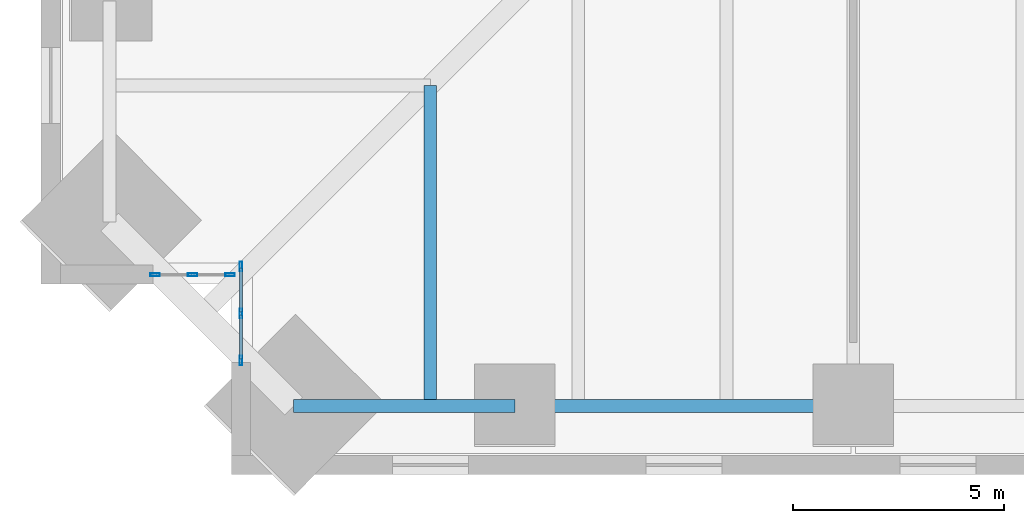
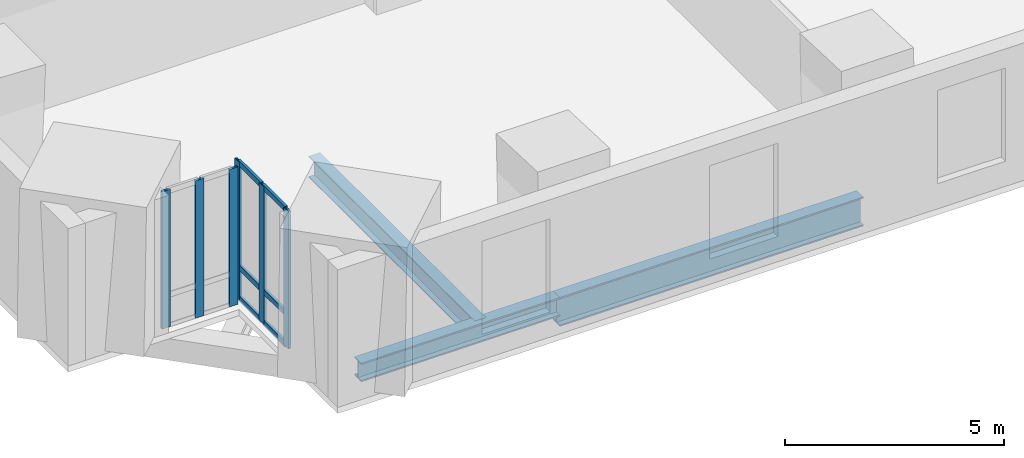
# One storey, part 2 of 16: 12 members, 3 beams, 2 elements without a shape of their own.
"""IFC4 building model written with IfcOpenShell, lengths in metres."""

from ifc_helpers import new_model, si_unit, direction, frame, origin, origin_2d, place, context, subcontext, project, spatial, hollow_rectangle, i_section, extrude, material, material_profile, profile_set, type_object, element, aggregate, save


model = new_model("IFC4")

# Units and contexts
model_context = context("Model", 3, precision=1e-05, world=origin(), true_north=direction((0.0, 1.0)))
body_context = subcontext(model_context, "Body", "Model", "MODEL_VIEW")
ifc_project = project(units=[si_unit("LENGTHUNIT", "METRE"), si_unit("AREAUNIT", "SQUARE_METRE"), si_unit("VOLUMEUNIT", "CUBIC_METRE"), si_unit("PLANEANGLEUNIT", "RADIAN"), si_unit("MASSUNIT", "GRAM", prefix="KILO")], contexts=[model_context])

# Site, building, storey
site_placement = place(None, origin())
site = spatial("IfcSite", under=ifc_project, at=site_placement, CompositionType="ELEMENT")
building_placement = place(site_placement, origin())
building = spatial("IfcBuilding", under=site, at=building_placement, Name="Peilmerk Tower", CompositionType="ELEMENT")
storey_placement = place(building_placement, frame((0.0, 0.0, 131.800048828125)))
storey = spatial("IfcBuildingStorey", under=building, at=storey_placement, Name="L26", CompositionType="ELEMENT", Elevation=131.800048828125)

# Beams
ifc_material_1 = material(Name="Steel S355", Category="steel")
ifc_material_profile_1 = material_profile(ifc_material_1, i_section(OverallWidth=0.302978515625, OverallDepth=0.81396484375, WebThickness=0.02099609375, FlangeThickness=0.0400390625, at=origin_2d()), Name="HEM 800")
ifc_profile_set_1 = profile_set([ifc_material_profile_1], Name="Steel S355")
beam_type_1 = type_object("IfcBeamType", Name="B15 HEM 800 edge beam", PredefinedType="SPANDREL", material=ifc_profile_set_1)
beam_1_placement = place(storey_placement, frame((-16.0, -25.582275390625, -0.5771484375), z_axis=(1.0, 0.0, 0.0), x_axis=(0.0, 1.0, 0.0)))
element("IfcBeam", 1, at=beam_1_placement, inside=storey, type_object=beam_type_1, Name="Edge beam L26", PredefinedType="SPANDREL", context=body_context, shape_type="SweptSolid", body=[
    extrude(i_section(OverallWidth=0.302978515625, OverallDepth=0.81396484375, WebThickness=0.02099609375, FlangeThickness=0.0400390625, at=origin_2d()), origin(), (0.0, 0.0, 1.0), 8.0),
])
ifc_material_profile_2 = material_profile(ifc_material_1, i_section(OverallWidth=0.300048828125, OverallDepth=0.590087890625, WebThickness=0.012939453125, FlangeThickness=0.02490234375, at=origin_2d()), Name="HEA 600")
ifc_profile_set_2 = profile_set([ifc_material_profile_2], Name="Steel S355")
beam_type_2 = type_object("IfcBeamType", Name="B27 HEA 600 floor beam", PredefinedType="BEAM", material=ifc_profile_set_2)
beam_2_placement = place(storey_placement, frame((-18.0, -18.0, -0.465087890625), z_axis=(0.0, -1.0, 0.0), x_axis=(1.0, 0.0, 0.0)))
element("IfcBeam", 2, at=beam_2_placement, inside=storey, type_object=beam_type_2, Name="Floor beam L26", PredefinedType="BEAM", context=body_context, shape_type="SweptSolid", body=[
    extrude(i_section(OverallWidth=0.300048828125, OverallDepth=0.590087890625, WebThickness=0.012939453125, FlangeThickness=0.02490234375, at=origin_2d()), origin(), (0.0, 0.0, 1.0), 7.582275390625),
])
ifc_material_profile_3 = material_profile(ifc_material_1, i_section(OverallWidth=0.305908203125, OverallDepth=0.52392578125, WebThickness=0.02099609375, FlangeThickness=0.0400390625, at=origin_2d()), Name="HEM 500")
ifc_profile_set_3 = profile_set([ifc_material_profile_3], Name="Steel S355")
beam_type_3 = type_object("IfcBeamType", Name="B33 HEM 500 edge beam", PredefinedType="SPANDREL", material=ifc_profile_set_3)
beam_3_placement = place(storey_placement, frame((-21.232177734375, -25.582275390625, -0.43212890625), z_axis=(1.0, 0.0, 0.0), x_axis=(0.0, 1.0, 0.0)))
element("IfcBeam", 3, at=beam_3_placement, inside=storey, type_object=beam_type_3, Name="Edge beam L26", PredefinedType="SPANDREL", context=body_context, shape_type="SweptSolid", body=[
    extrude(i_section(OverallWidth=0.305908203125, OverallDepth=0.52392578125, WebThickness=0.02099609375, FlangeThickness=0.0400390625, at=origin_2d()), origin(), (0.0, 0.0, 1.0), 5.232177734375),
])

# Curtain wall, members
ifc_material_2 = material(Name="Aluminium stick curtain wall", Category="aluminium")
curtain_wall_type = type_object("IfcCurtainWallType", Name="CW3 stick curtain wall, 2250 module", PredefinedType="NOTDEFINED", material=ifc_material_2)
curtain_wall_1_placement = place(storey_placement, origin())
curtain_wall_1 = element("IfcCurtainWall", 4, at=curtain_wall_1_placement, inside=storey, type_object=curtain_wall_type, Name="Curtain wall CW3 SWA L26", PredefinedType="NOTDEFINED")
ifc_material_3 = material(Name="Aluminium EN AW-6063 T6", Category="aluminium")
ifc_material_profile_4 = material_profile(ifc_material_3, hollow_rectangle(XDim=0.06494140625, YDim=0.22509765625, WallThickness=0.00390625, at=origin_2d()), Name="AL 225x65x4")
ifc_profile_set_4 = profile_set([ifc_material_profile_4], Name="Aluminium EN AW-6063 T6")
member_type_1 = type_object("IfcMemberType", Name="CW3-M AL 225x65x4 mullion", PredefinedType="MULLION", material=ifc_profile_set_4)
member_1_placement = place(storey_placement, frame((-22.47509765625, -22.282470703125, 0.0), z_axis=(0.0, 0.0, 1.0), x_axis=(1.0, 0.0, 0.0)))
member_1 = element("IfcMember", 5, at=member_1_placement, type_object=member_type_1, Name="CW3 mullion 1", PredefinedType="MULLION", context=body_context, shape_type="SweptSolid", body=[
    extrude(hollow_rectangle(XDim=0.06494140625, YDim=0.22509765625, WallThickness=0.00390625, at=origin_2d()), origin(), (0.0, 0.0, 1.0), 3.829833984375),
])
member_2_placement = place(storey_placement, frame((-22.47509765625, -23.394287109375, 0.0), z_axis=(0.0, 0.0, 1.0), x_axis=(1.0, 0.0, 0.0)))
member_2 = element("IfcMember", 6, at=member_2_placement, type_object=member_type_1, Name="CW3 mullion 2", PredefinedType="MULLION", context=body_context, shape_type="SweptSolid", body=[
    extrude(hollow_rectangle(XDim=0.06494140625, YDim=0.22509765625, WallThickness=0.00390625, at=origin_2d()), origin(), (0.0, 0.0, 1.0), 3.829833984375),
])
member_3_placement = place(storey_placement, frame((-22.47509765625, -24.506103515625, 0.0), z_axis=(0.0, 0.0, 1.0), x_axis=(1.0, 0.0, 0.0)))
member_3 = element("IfcMember", 7, at=member_3_placement, type_object=member_type_1, Name="CW3 mullion 3", PredefinedType="MULLION", context=body_context, shape_type="SweptSolid", body=[
    extrude(hollow_rectangle(XDim=0.06494140625, YDim=0.22509765625, WallThickness=0.00390625, at=origin_2d()), origin(), (0.0, 0.0, 1.0), 3.829833984375),
])

curtain_wall_2_placement = place(storey_placement, origin())
curtain_wall_2 = element("IfcCurtainWall", 8, at=curtain_wall_2_placement, inside=storey, type_object=curtain_wall_type, Name="Curtain wall CW3 SWB L26", PredefinedType="NOTDEFINED")
member_4_placement = place(storey_placement, frame((-22.732421875, -22.47509765625, 0.0), z_axis=(0.0, 0.0, 1.0), x_axis=(0.0, -1.0, 0.0)))
member_4 = element("IfcMember", 9, at=member_4_placement, type_object=member_type_1, Name="CW3 mullion 1", PredefinedType="MULLION", context=body_context, shape_type="SweptSolid", body=[
    extrude(hollow_rectangle(XDim=0.06494140625, YDim=0.22509765625, WallThickness=0.00390625, at=origin_2d()), origin(), (0.0, 0.0, 1.0), 3.829833984375),
])
member_5_placement = place(storey_placement, frame((-23.619384765625, -22.47509765625, 0.0), z_axis=(0.0, 0.0, 1.0), x_axis=(0.0, -1.0, 0.0)))
member_5 = element("IfcMember", 10, at=member_5_placement, type_object=member_type_1, Name="CW3 mullion 2", PredefinedType="MULLION", context=body_context, shape_type="SweptSolid", body=[
    extrude(hollow_rectangle(XDim=0.06494140625, YDim=0.22509765625, WallThickness=0.00390625, at=origin_2d()), origin(), (0.0, 0.0, 1.0), 3.829833984375),
])
member_6_placement = place(storey_placement, frame((-24.506103515625, -22.47509765625, 0.0), z_axis=(0.0, 0.0, 1.0), x_axis=(0.0, -1.0, 0.0)))
member_6 = element("IfcMember", 11, at=member_6_placement, type_object=member_type_1, Name="CW3 mullion 3", PredefinedType="MULLION", context=body_context, shape_type="SweptSolid", body=[
    extrude(hollow_rectangle(XDim=0.06494140625, YDim=0.22509765625, WallThickness=0.00390625, at=origin_2d()), origin(), (0.0, 0.0, 1.0), 3.829833984375),
])
aggregate(curtain_wall_2, [member_4, member_5, member_6])

# Member
ifc_material_profile_5 = material_profile(ifc_material_3, hollow_rectangle(XDim=0.06494140625, YDim=0.14990234375, WallThickness=0.0029296875, at=origin_2d()), Name="AL 150x65x3")
ifc_profile_set_5 = profile_set([ifc_material_profile_5], Name="Aluminium EN AW-6063 T6")
member_type_2 = type_object("IfcMemberType", Name="CW3-T AL 150x65x3 transom", PredefinedType="USERDEFINED", material=ifc_profile_set_5)
member_7_placement = place(storey_placement, frame((-22.47509765625, -22.31494140625, 0.032470703125), z_axis=(0.0, -1.0, 0.0), x_axis=(1.0, 0.0, 0.0)))
member_7 = element("IfcMember", 12, at=member_7_placement, type_object=member_type_2, Name="CW3 transom 1.1", ObjectType="TRANSOM", PredefinedType="USERDEFINED", context=body_context, shape_type="SweptSolid", body=[
    extrude(hollow_rectangle(XDim=0.06494140625, YDim=0.14990234375, WallThickness=0.0029296875, at=origin_2d()), origin(), (0.0, 0.0, 1.0), 1.046875),
])

member_8_placement = place(storey_placement, frame((-22.47509765625, -22.31494140625, 0.89990234375), z_axis=(0.0, -1.0, 0.0), x_axis=(1.0, 0.0, 0.0)))
member_8 = element("IfcMember", 13, at=member_8_placement, type_object=member_type_2, Name="CW3 transom 1.2", ObjectType="TRANSOM", PredefinedType="USERDEFINED", context=body_context, shape_type="SweptSolid", body=[
    extrude(hollow_rectangle(XDim=0.06494140625, YDim=0.14990234375, WallThickness=0.0029296875, at=origin_2d()), origin(), (0.0, 0.0, 1.0), 1.046875),
])

member_9_placement = place(storey_placement, frame((-22.47509765625, -22.31494140625, 3.79736328125), z_axis=(0.0, -1.0, 0.0), x_axis=(1.0, 0.0, 0.0)))
member_9 = element("IfcMember", 14, at=member_9_placement, type_object=member_type_2, Name="CW3 transom 1.3", ObjectType="TRANSOM", PredefinedType="USERDEFINED", context=body_context, shape_type="SweptSolid", body=[
    extrude(hollow_rectangle(XDim=0.06494140625, YDim=0.14990234375, WallThickness=0.0029296875, at=origin_2d()), origin(), (0.0, 0.0, 1.0), 1.046875),
])

member_10_placement = place(storey_placement, frame((-22.47509765625, -23.4267578125, 0.032470703125), z_axis=(0.0, -1.0, 0.0), x_axis=(1.0, 0.0, 0.0)))
member_10 = element("IfcMember", 15, at=member_10_placement, type_object=member_type_2, Name="CW3 transom 2.1", ObjectType="TRANSOM", PredefinedType="USERDEFINED", context=body_context, shape_type="SweptSolid", body=[
    extrude(hollow_rectangle(XDim=0.06494140625, YDim=0.14990234375, WallThickness=0.0029296875, at=origin_2d()), origin(), (0.0, 0.0, 1.0), 1.046875),
])

member_11_placement = place(storey_placement, frame((-22.47509765625, -23.4267578125, 0.89990234375), z_axis=(0.0, -1.0, 0.0), x_axis=(1.0, 0.0, 0.0)))
member_11 = element("IfcMember", 16, at=member_11_placement, type_object=member_type_2, Name="CW3 transom 2.2", ObjectType="TRANSOM", PredefinedType="USERDEFINED", context=body_context, shape_type="SweptSolid", body=[
    extrude(hollow_rectangle(XDim=0.06494140625, YDim=0.14990234375, WallThickness=0.0029296875, at=origin_2d()), origin(), (0.0, 0.0, 1.0), 1.046875),
])

member_12_placement = place(storey_placement, frame((-22.47509765625, -23.4267578125, 3.79736328125), z_axis=(0.0, -1.0, 0.0), x_axis=(1.0, 0.0, 0.0)))
member_12 = element("IfcMember", 17, at=member_12_placement, type_object=member_type_2, Name="CW3 transom 2.3", ObjectType="TRANSOM", PredefinedType="USERDEFINED", context=body_context, shape_type="SweptSolid", body=[
    extrude(hollow_rectangle(XDim=0.06494140625, YDim=0.14990234375, WallThickness=0.0029296875, at=origin_2d()), origin(), (0.0, 0.0, 1.0), 1.046875),
])

aggregate(curtain_wall_1, [member_1, member_2, member_3, member_7, member_8, member_9, member_10, member_11, member_12])

save(model, "model.ifc")
